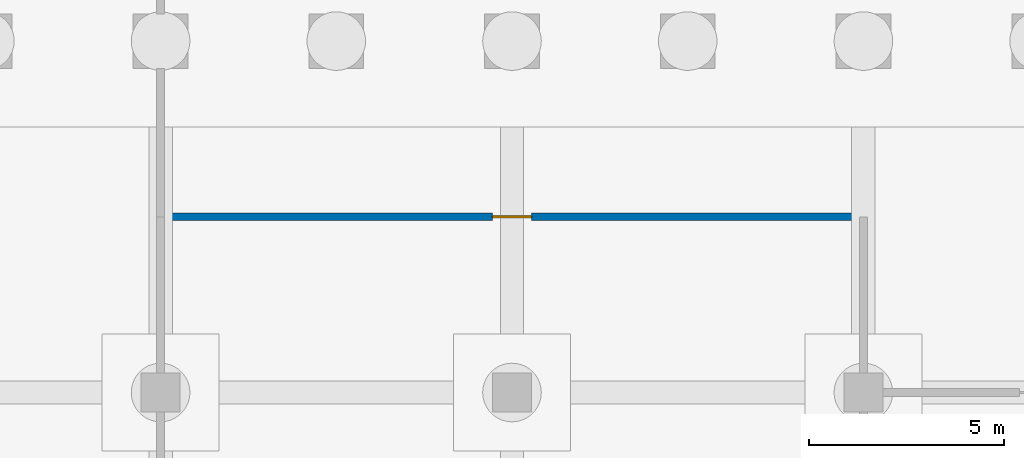
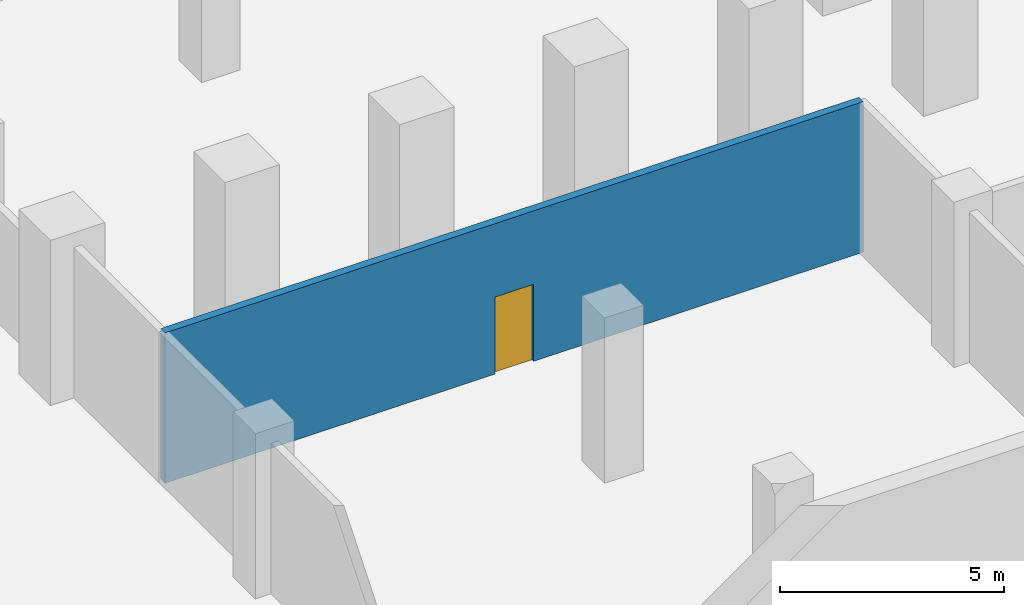
# One storey, part 10 of 37: 1 door, 1 wall, 1 opening.
"""IFC4 building model written with IfcOpenShell, lengths in metres."""

from ifc_helpers import new_model, si_unit, direction, frame, frame_2d, origin, place, context, subcontext, project, spatial, rectangle, extrude, material, layer, layer_set, type_object, element, fill, save


model = new_model("IFC4")

# Units and contexts
model_context = context("Model", 3, precision=1e-05, world=origin(), true_north=direction((0.0, 1.0)))
body_context = subcontext(model_context, "Body", "Model", "MODEL_VIEW")
ifc_project = project(units=[si_unit("LENGTHUNIT", "METRE"), si_unit("AREAUNIT", "SQUARE_METRE"), si_unit("VOLUMEUNIT", "CUBIC_METRE"), si_unit("PLANEANGLEUNIT", "RADIAN"), si_unit("MASSUNIT", "GRAM", prefix="KILO")], contexts=[model_context])

# Site, building, storey
site_placement = place(None, origin())
site = spatial("IfcSite", under=ifc_project, at=site_placement, CompositionType="ELEMENT")
building_placement = place(site_placement, origin())
building = spatial("IfcBuilding", under=site, at=building_placement, Name="Quoin Convention Tower", CompositionType="ELEMENT")
storey_placement = place(building_placement, frame((0.0, 0.0, -9.0)))
storey = spatial("IfcBuildingStorey", under=building, at=storey_placement, Name="B2", CompositionType="ELEMENT", Elevation=-9.0)

# Wall, opening, door
ifc_material_1 = material(Name="Plasterboard")
ifc_layer_1 = layer(ifc_material_1, 0.012451171875, Name="Finish")
ifc_material_2 = material(Name="Steel stud framing", Category="steel")
ifc_layer_2 = layer(ifc_material_2, 0.175048828125, Name="Structure")
ifc_layer_3 = layer(ifc_material_1, 0.012451171875, Name="Finish")
ifc_layer_set = layer_set([ifc_layer_1, ifc_layer_2, ifc_layer_3], Name="Steel stud framing")
wall_type = type_object("IfcWallType", Name="Plant room wall 200", PredefinedType="PARTITIONING", material=ifc_layer_set)
wall_placement = place(storey_placement, frame((36.0, 13.5, 0.0), z_axis=(0.0, 0.0, 1.0), x_axis=(1.0, 0.0, 0.0)))
wall = element("IfcWall", 1, at=wall_placement, inside=storey, type_object=wall_type, Name="pw-B2-010", PredefinedType="PARTITIONING", context=body_context, shape_type="SweptSolid", body=[
    extrude(rectangle(XDim=18.0, YDim=0.199951171875, at=frame_2d((9.0, 0.0))), origin(), (0.0, 0.0, 1.0), 4.10009765625),
])
opening_placement = place(wall_placement, frame((8.5, 0.0, 0.0)))
opening = element("IfcOpeningElement", 2, at=opening_placement, cuts=wall, Name="Opening DPDB2-02", PredefinedType="OPENING", context=body_context, shape_type="SweptSolid", body=[
    extrude(rectangle(XDim=1.0, YDim=2.10009765625, at=frame_2d((0.5, 1.050048828125))), frame((0.0, 0.10986328125, 0.0), z_axis=(0.0, -1.0, 0.0), x_axis=(1.0, 0.0, 0.0)), (0.0, 0.0, 1.0), 0.219970703125),
])
ifc_material_3 = material(Name="Steel door leaf", Category="steel")
door_type = type_object("IfcDoorType", Name="Plant door 1000", OperationType="SINGLE_SWING_RIGHT", PredefinedType="DOOR", material=ifc_material_3)
door_placement = place(opening_placement, origin())
door = element("IfcDoor", 3, at=door_placement, inside=storey, type_object=door_type, Name="dr-B2-002", OperationType="SINGLE_SWING_LEFT", OverallHeight=2.10009765625, OverallWidth=1.0, PredefinedType="DOOR", context=body_context, shape_type="SweptSolid", body=[
    extrude(rectangle(XDim=1.0, YDim=2.10009765625, at=frame_2d((0.5, 1.050048828125))), frame((0.0, 0.02490234375, 0.0), z_axis=(0.0, -1.0, 0.0), x_axis=(1.0, 0.0, 0.0)), (0.0, 0.0, 1.0), 0.050048828125),
])
fill(opening, door)

save(model, "model.ifc")
